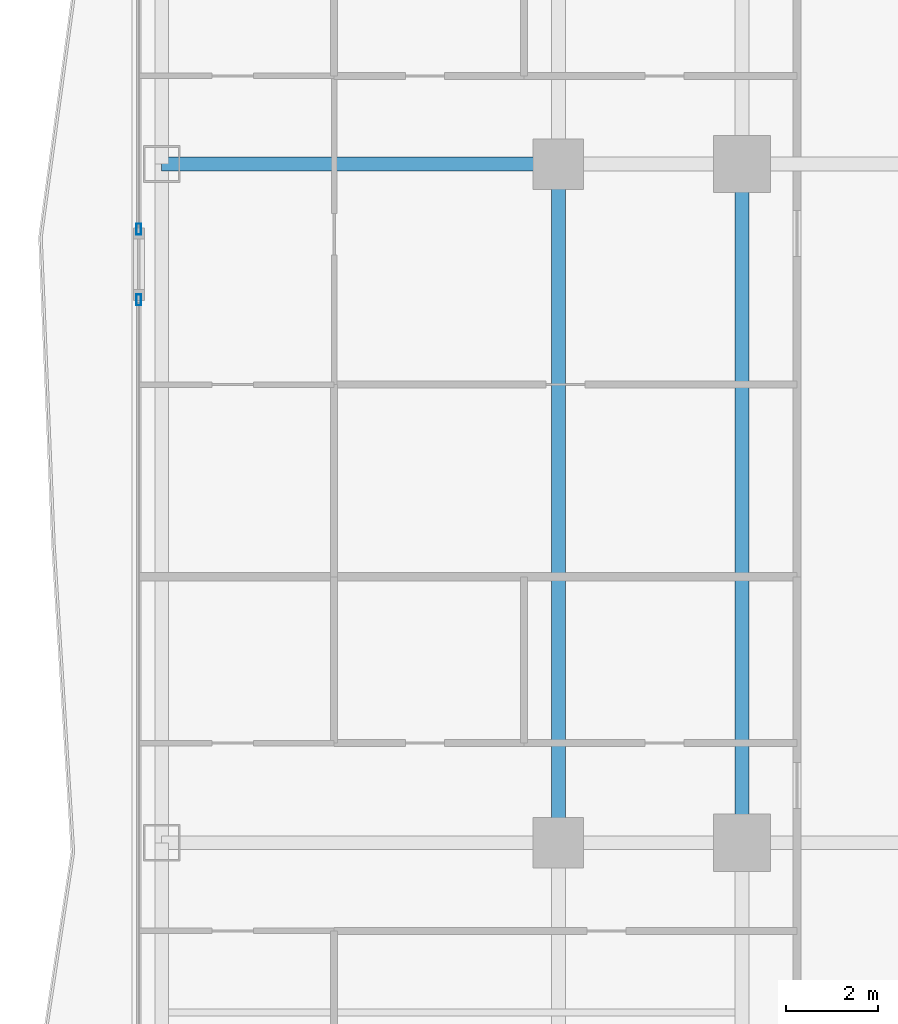
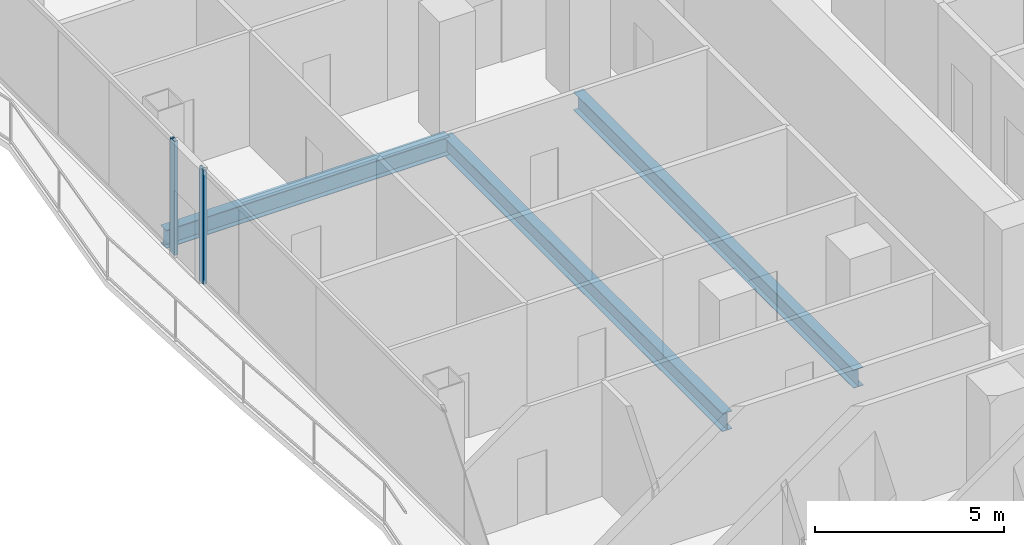
# One storey, part 6 of 28: 3 beams, 2 members, 2 elements without a shape of their own.
"""IFC4 building model written with IfcOpenShell, lengths in metres."""

from ifc_helpers import new_model, si_unit, direction, frame, origin, origin_2d, place, context, subcontext, project, spatial, hollow_rectangle, i_section, extrude, material, layer, layer_set, material_profile, profile_set, type_object, element, aggregate, save


model = new_model("IFC4")

# Units and contexts
model_context = context("Model", 3, precision=1e-05, world=origin(), true_north=direction((0.0, 1.0)))
body_context = subcontext(model_context, "Body", "Model", "MODEL_VIEW")
ifc_project = project(units=[si_unit("LENGTHUNIT", "METRE"), si_unit("AREAUNIT", "SQUARE_METRE"), si_unit("VOLUMEUNIT", "CUBIC_METRE"), si_unit("PLANEANGLEUNIT", "RADIAN"), si_unit("MASSUNIT", "GRAM", prefix="KILO")], contexts=[model_context])

# Site, building, storey
site_placement = place(None, origin())
site = spatial("IfcSite", under=ifc_project, at=site_placement, CompositionType="ELEMENT")
building_placement = place(site_placement, origin())
building = spatial("IfcBuilding", under=site, at=building_placement, Name="Khorvyn Point Tower", CompositionType="ELEMENT")
storey_placement = place(building_placement, frame((0.0, 0.0, 100.800048828125)))
storey = spatial("IfcBuildingStorey", under=building, at=storey_placement, Name="L25", CompositionType="ELEMENT", Elevation=100.800048828125)

# Curtain wall, member
ifc_material_1 = material(Name="Anodised aluminium 6063-T6 and laminated Low-E glass", Category="aluminium")
ifc_layer = layer(ifc_material_1, 0.18994140625)
ifc_layer_set = layer_set([ifc_layer], Name="Stick-Built Finned Residential Curtain Wall CW-SYS-02")
curtain_wall_type = type_object("IfcCurtainWallType", Name="Stick-Built Finned Residential Curtain Wall CW-SYS-02", PredefinedType="NOTDEFINED", material=ifc_layer_set)
curtain_wall_1_placement = place(storey_placement, origin())
curtain_wall_1 = element("IfcCurtainWall", 1, at=curtain_wall_1_placement, inside=storey, type_object=curtain_wall_type, Name="Curtain Wall", PredefinedType="NOTDEFINED")
ifc_material_2 = material(Name="Anodised aluminium 6063-T6", Category="aluminium")
ifc_material_profile_1 = material_profile(ifc_material_2, hollow_rectangle(XDim=0.10009765625, YDim=0.239990234375, WallThickness=0.0048828125, at=origin_2d()))
ifc_profile_set_1 = profile_set([ifc_material_profile_1], Name="Anodised aluminium 6063-T6 ALU-MUL-100x240")
member_type = type_object("IfcMemberType", Name="Anodised Aluminium 6063-T6 Mullion ALU-MUL-100x240", PredefinedType="MULLION", material=ifc_profile_set_1)
member_1_placement = place(storey_placement, frame((-27.949951171875, 4.43994140625, 0.0), z_axis=(0.0, 0.0, 1.0), x_axis=(-1.0, 0.0, 0.0)))
member_1 = element("IfcMember", 2, at=member_1_placement, type_object=member_type, Name="Transom", PredefinedType="MULLION", context=body_context, shape_type="SweptSolid", body=[
    extrude(hollow_rectangle(XDim=0.10009765625, YDim=0.239990234375, WallThickness=0.0048828125, at=origin_2d()), origin(), (0.0, 0.0, 1.0), 3.679931640625),
])
aggregate(curtain_wall_1, [member_1])

curtain_wall_2_placement = place(storey_placement, origin())
curtain_wall_2 = element("IfcCurtainWall", 3, at=curtain_wall_2_placement, inside=storey, type_object=curtain_wall_type, Name="Curtain Wall", PredefinedType="NOTDEFINED")
member_2_placement = place(storey_placement, frame((-27.949951171875, 5.97998046875, 0.0), z_axis=(0.0, 0.0, 1.0), x_axis=(-1.0, 0.0, 0.0)))
member_2 = element("IfcMember", 4, at=member_2_placement, type_object=member_type, Name="Transom", PredefinedType="MULLION", context=body_context, shape_type="SweptSolid", body=[
    extrude(hollow_rectangle(XDim=0.10009765625, YDim=0.239990234375, WallThickness=0.0048828125, at=origin_2d()), origin(), (0.0, 0.0, 1.0), 3.679931640625),
])
aggregate(curtain_wall_2, [member_2])

# Beams
ifc_material_3 = material(Name="Steel S355", Category="steel")
ifc_material_profile_2 = material_profile(ifc_material_3, i_section(OverallWidth=0.300048828125, OverallDepth=0.587890625, WebThickness=0.011962890625, FlangeThickness=0.02001953125, at=origin_2d()))
ifc_profile_set_2 = profile_set([ifc_material_profile_2], Name="Steel S355 H588x300x12x20")
beam_type = type_object("IfcBeamType", Name="Steel S355 Beam H588x300x12x20", PredefinedType="BEAM", material=ifc_profile_set_2)
beam_placement = place(storey_placement, frame((-27.449951171875, 7.39990234375, -0.51416015625), z_axis=(1.0, 0.0, 0.0), x_axis=(0.0, 1.0, 0.0)))
element("IfcBeam", 5, at=beam_placement, inside=storey, type_object=beam_type, Name="Beam", PredefinedType="BEAM", context=body_context, shape_type="SweptSolid", body=[
    extrude(i_section(OverallWidth=0.300048828125, OverallDepth=0.587890625, WebThickness=0.011962890625, FlangeThickness=0.02001953125, at=origin_2d()), origin(), (0.0, 0.0, 1.0), 8.64990234375),
])
for number, where, z_axis, x_axis, name in (
    (6, (-14.800048828125, -7.39990234375, -0.51416015625), (0.0, 1.0, 0.0), (-1.0, 0.0, 0.0), "Beam"),
    (7, (-18.800048828125, -7.39990234375, -0.51416015625), (0.0, 1.0, 0.0), (-1.0, 0.0, 0.0), "Beam"),
):
    element("IfcBeam", number, at=place(storey_placement, frame(where, z_axis=z_axis, x_axis=x_axis)), inside=storey, type_object=beam_type, Name=name, PredefinedType="BEAM", context=body_context, shape_type="SweptSolid", body=[
        extrude(i_section(OverallWidth=0.300048828125, OverallDepth=0.587890625, WebThickness=0.011962890625, FlangeThickness=0.02001953125, at=origin_2d()), origin(), (0.0, 0.0, 1.0), 14.7998046875),
    ])

save(model, "model.ifc")
